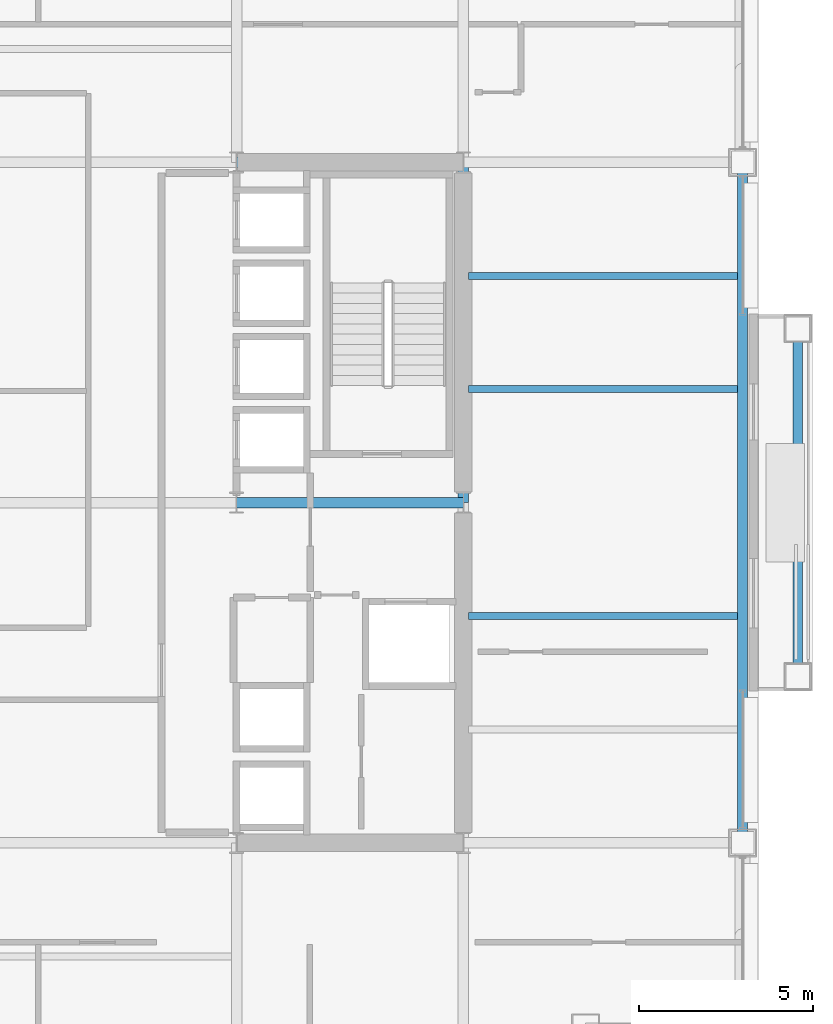
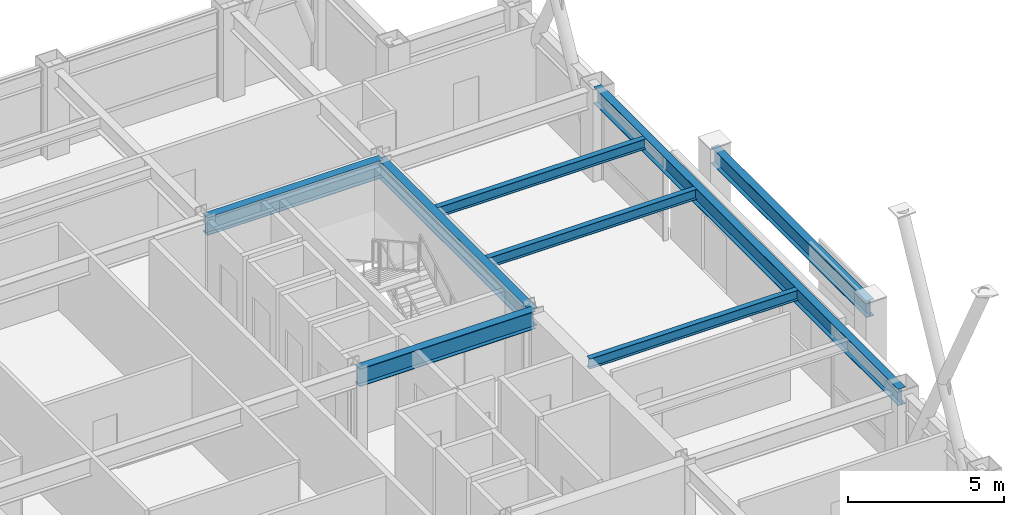
# One storey, part 16 of 33: 8 beams.
"""IFC4 building model written with IfcOpenShell, lengths in metres."""

from ifc_helpers import new_model, si_unit, direction, frame, origin, origin_2d, place, context, subcontext, project, spatial, i_section, extrude, material, material_profile, profile_set, type_object, element, save


model = new_model("IFC4")

# Units and contexts
model_context = context("Model", 3, precision=1e-05, world=origin(), true_north=direction((0.0, 1.0)))
body_context = subcontext(model_context, "Body", "Model", "MODEL_VIEW")
ifc_project = project(units=[si_unit("LENGTHUNIT", "METRE"), si_unit("AREAUNIT", "SQUARE_METRE"), si_unit("VOLUMEUNIT", "CUBIC_METRE"), si_unit("PLANEANGLEUNIT", "RADIAN"), si_unit("MASSUNIT", "GRAM", prefix="KILO")], contexts=[model_context])

# Site, building, storey
site_placement = place(None, origin())
site = spatial("IfcSite", under=ifc_project, at=site_placement, CompositionType="ELEMENT")
building_placement = place(site_placement, origin())
building = spatial("IfcBuilding", under=site, at=building_placement, Name="Brelmoor Portico Tower", CompositionType="ELEMENT")
storey_placement = place(building_placement, frame((0.0, 0.0, 120.60009765625)))
storey = spatial("IfcBuildingStorey", under=building, at=storey_placement, Name="L31", CompositionType="ELEMENT", Elevation=120.60009765625)

# Beams
ifc_material = material(Name="Steel Q355B", Category="steel")
ifc_material_profile_1 = material_profile(ifc_material, i_section(OverallWidth=0.199951171875, OverallDepth=0.39990234375, WebThickness=0.008056640625, FlangeThickness=0.012939453125, at=origin_2d()), Name="HN 400x200x8x13")
ifc_profile_set_1 = profile_set([ifc_material_profile_1], Name="Steel Q355B")
beam_type_1 = type_object("IfcBeamType", Name="BM-JS-400", PredefinedType="JOIST", material=ifc_profile_set_1)
for number, where, z_axis, x_axis, name in (
    (1, (14.699951171875, -3.25, 3.199951171875), (1.0, 0.0, 0.0), (0.0, 1.0, 0.0), "L31 Secondary Wing Joist JS-E10"),
    (2, (14.699951171875, 3.25, 3.199951171875), (1.0, 0.0, 0.0), (0.0, 1.0, 0.0), "L31 Secondary Wing Joist JS-E11"),
    (3, (14.699951171875, 6.5, 3.199951171875), (1.0, 0.0, 0.0), (0.0, 1.0, 0.0), "L31 Secondary Wing Joist JS-E12"),
):
    element("IfcBeam", number, at=place(storey_placement, frame(where, z_axis=z_axis, x_axis=x_axis)), inside=storey, type_object=beam_type_1, Name=name, PredefinedType="JOIST", context=body_context, shape_type="SweptSolid", body=[
        extrude(i_section(OverallWidth=0.199951171875, OverallDepth=0.39990234375, WebThickness=0.008056640625, FlangeThickness=0.012939453125, at=origin_2d()), origin(), (0.0, 0.0, 1.0), 7.7099609375),
    ])
ifc_material_profile_2 = material_profile(ifc_material, i_section(OverallWidth=0.300048828125, OverallDepth=0.699951171875, WebThickness=0.012939453125, FlangeThickness=0.02392578125, at=origin_2d()), Name="HN 700x300x13x24")
ifc_profile_set_2 = profile_set([ifc_material_profile_2], Name="Steel Q355B")
beam_type_2 = type_object("IfcBeamType", Name="BM-PG-700", PredefinedType="BEAM", material=ifc_profile_set_2)
beam_1_placement = place(storey_placement, frame((14.550048828125, 0.0, 3.0498046875), z_axis=(0.0, 1.0, 0.0), x_axis=(-1.0, 0.0, 0.0)))
element("IfcBeam", 4, at=beam_1_placement, inside=storey, type_object=beam_type_2, Name="L31 Primary Floor Girder PG-12", PredefinedType="BEAM", context=body_context, shape_type="SweptSolid", body=[
    extrude(i_section(OverallWidth=0.300048828125, OverallDepth=0.699951171875, WebThickness=0.012939453125, FlangeThickness=0.02392578125, at=origin_2d()), origin(), (0.0, 0.0, 1.0), 9.75),
])
for number, where, z_axis, x_axis, name in (
    (5, (8.050048828125, 0.0, 3.0498046875), (1.0, 0.0, 0.0), (0.0, 1.0, 0.0), "L31 Primary Floor Girder PG-21"),
    (6, (8.050048828125, 9.75, 3.0498046875), (1.0, 0.0, 0.0), (0.0, 1.0, 0.0), "L31 Primary Floor Girder PG-25"),
):
    element("IfcBeam", number, at=place(storey_placement, frame(where, z_axis=z_axis, x_axis=x_axis)), inside=storey, type_object=beam_type_2, Name=name, PredefinedType="BEAM", context=body_context, shape_type="SweptSolid", body=[
        extrude(i_section(OverallWidth=0.300048828125, OverallDepth=0.699951171875, WebThickness=0.012939453125, FlangeThickness=0.02392578125, at=origin_2d()), origin(), (0.0, 0.0, 1.0), 6.5),
    ])
ifc_material_profile_3 = material_profile(ifc_material, i_section(OverallWidth=0.280029296875, OverallDepth=0.64990234375, WebThickness=0.012939453125, FlangeThickness=0.02197265625, at=origin_2d()), Name="HN 650x280x13x22")
ifc_profile_set_3 = profile_set([ifc_material_profile_3], Name="Steel Q355B")
beam_type_3 = type_object("IfcBeamType", Name="BM-SP-650", PredefinedType="SPANDREL", material=ifc_profile_set_3)
beam_2_placement = place(storey_placement, frame((22.550048828125, -9.75, 3.074951171875), z_axis=(0.0, 1.0, 0.0), x_axis=(-1.0, 0.0, 0.0)))
element("IfcBeam", 7, at=beam_2_placement, inside=storey, type_object=beam_type_3, Name="L31 Perimeter Spandrel Beam SP-23", PredefinedType="SPANDREL", context=body_context, shape_type="SweptSolid", body=[
    extrude(i_section(OverallWidth=0.280029296875, OverallDepth=0.64990234375, WebThickness=0.012939453125, FlangeThickness=0.02197265625, at=origin_2d()), origin(), (0.0, 0.0, 1.0), 19.5),
])
beam_3_placement = place(storey_placement, frame((24.1298828125, -4.97998046875, 3.074951171875), z_axis=(0.0, 1.0, 0.0), x_axis=(-1.0, 0.0, 0.0)))
element("IfcBeam", 8, at=beam_3_placement, inside=storey, type_object=beam_type_3, Name="L31 Picture-Frame Perimeter Lintel Beam E1", PredefinedType="SPANDREL", context=body_context, shape_type="SweptSolid", body=[
    extrude(i_section(OverallWidth=0.280029296875, OverallDepth=0.64990234375, WebThickness=0.012939453125, FlangeThickness=0.02197265625, at=origin_2d()), origin(), (0.0, 0.0, 1.0), 9.9599609375),
])

save(model, "model.ifc")
